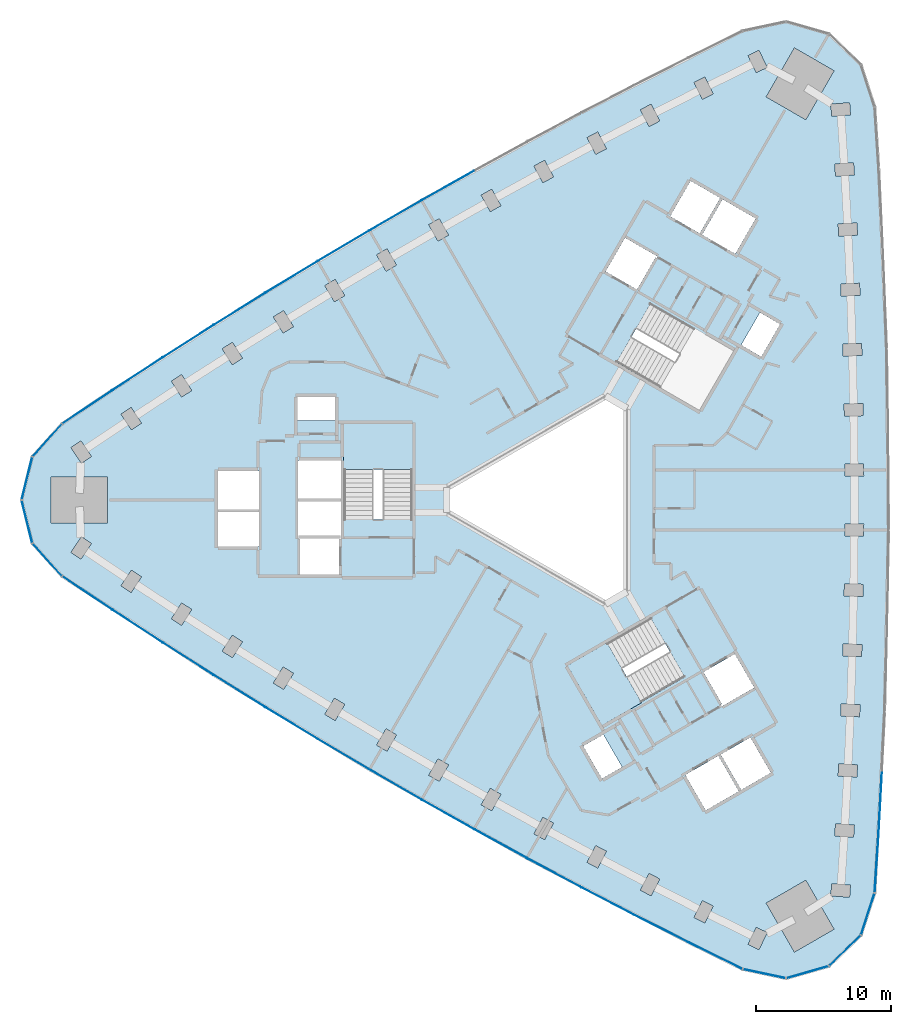
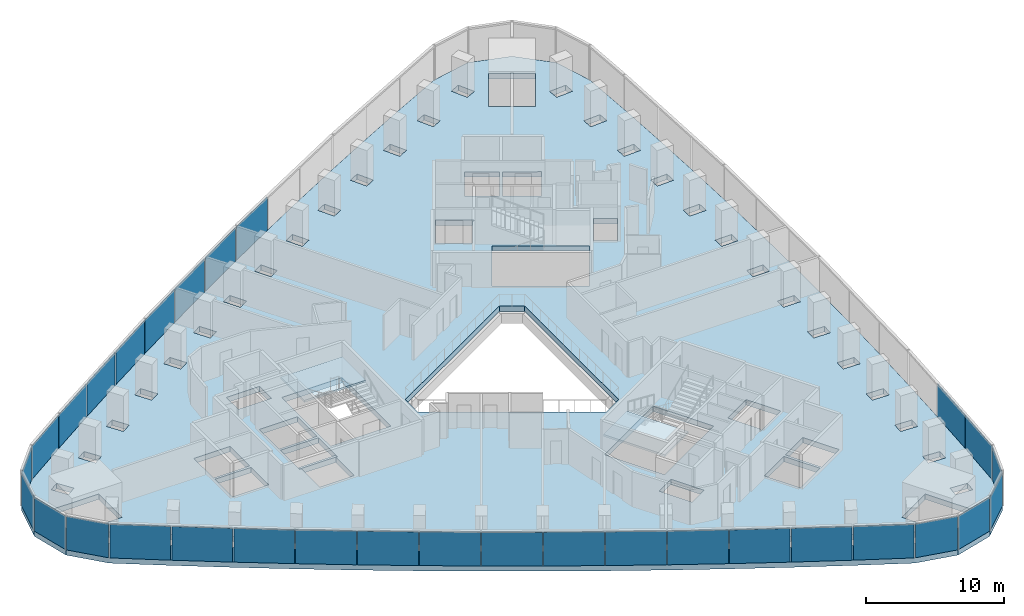
# One storey, part 7 of 13: 31 plates, 3 slabs, 5 elements without a shape of their own.
"""IFC4 building model written with IfcOpenShell, lengths in metres."""

from ifc_helpers import new_model, si_unit, direction, frame, origin, origin_2d, place, context, subcontext, project, spatial, polyline, rectangle, outline, extrude, material, layer, layer_set, type_object, element, aggregate, save


model = new_model("IFC4")

# Units and contexts
model_context = context("Model", 3, precision=1e-05, world=origin(), true_north=direction((0.0, 1.0)))
body_context = subcontext(model_context, "Body", "Model", "MODEL_VIEW")
ifc_project = project(units=[si_unit("LENGTHUNIT", "METRE"), si_unit("AREAUNIT", "SQUARE_METRE"), si_unit("VOLUMEUNIT", "CUBIC_METRE"), si_unit("PLANEANGLEUNIT", "RADIAN"), si_unit("MASSUNIT", "GRAM", prefix="KILO")], contexts=[model_context])

# Site, building, storey
site_placement = place(None, origin())
site = spatial("IfcSite", under=ifc_project, at=site_placement, CompositionType="ELEMENT")
building_placement = place(site_placement, origin())
building = spatial("IfcBuilding", under=site, at=building_placement, Name="Tamra Quay Hotel Tower", CompositionType="ELEMENT")
storey_placement = place(building_placement, frame((0.0, 0.0, 49.39990234375)))
storey = spatial("IfcBuildingStorey", under=building, at=storey_placement, Name="L10", CompositionType="ELEMENT", Elevation=49.39990234375)

# Stair, slab
ifc_material_1 = material(Name="Exit stair 2200 24 risers 150.0 going 342")
stair_type = type_object("IfcStairType", Name="Exit stair 2200 24 risers 150.0 going 342", PredefinedType="HALF_TURN_STAIR", material=ifc_material_1)
stair_1_placement = place(storey_placement, origin())
stair_1 = element("IfcStair", 1, at=stair_1_placement, inside=storey, type_object=stair_type, Name="L10 Exit stair ST3", PredefinedType="HALF_TURN_STAIR")
ifc_material_2 = material(Name="Concrete M70", Category="concrete")
ifc_layer_1 = layer(ifc_material_2, 0.175048828125)
ifc_layer_set_1 = layer_set([ifc_layer_1], Name="Concrete M70 stair landing 180")
slab_type_1 = type_object("IfcSlabType", Name="Concrete M70 stair landing 180", PredefinedType="LANDING", material=ifc_layer_set_1)
slab_1_placement = place(storey_placement, frame((0.0, 0.0, 1.625)))
slab_1 = element("IfcSlab", 2, at=slab_1_placement, type_object=slab_type_1, Name="ST3 landing 1", PredefinedType="LANDING", context=body_context, shape_type="SweptSolid", body=[
    extrude(outline(polyline([(-10.932373046875, 2.261962890625), (-10.932373046875, 5.679931640625), (-16.09130859375, 5.679931640625), (-16.09130859375, 2.261962890625), (-10.932373046875, 2.261962890625)])), origin(), (0.0, 0.0, 1.0), 0.175048828125),
])
aggregate(stair_1, [slab_1])

stair_2_placement = place(storey_placement, origin())
stair_2 = element("IfcStair", 3, at=stair_2_placement, inside=storey, type_object=stair_type, Name="L10 Exit stair ST2", PredefinedType="HALF_TURN_STAIR")
slab_2_placement = place(storey_placement, frame((0.0, 0.0, 1.625)))
slab_2 = element("IfcSlab", 4, at=slab_2_placement, type_object=slab_type_1, Name="ST2 landing 1", PredefinedType="LANDING", context=body_context, shape_type="SweptSolid", body=[
    extrude(outline(polyline([(3.50732421875, -10.5986328125), (0.547119140625, -12.3076171875), (3.126708984375, -16.775390625), (6.086669921875, -15.06640625), (3.50732421875, -10.5986328125)])), origin(), (0.0, 0.0, 1.0), 0.175048828125),
])
aggregate(stair_2, [slab_2])

# Slab
ifc_material_3 = material(Name="Concrete M60", Category="concrete")
ifc_layer_2 = layer(ifc_material_3, 0.47509765625)
ifc_layer_set_2 = layer_set([ifc_layer_2], Name="FLOOR SLAB PT 475")
slab_type_2 = type_object("IfcSlabType", Name="FLOOR SLAB PT 475", PredefinedType="FLOOR", material=ifc_layer_set_2)
slab_3_placement = place(storey_placement, frame((0.0, 0.0, -0.474853515625)))
element("IfcSlab", 5, at=slab_3_placement, inside=storey, type_object=slab_type_2, Name="SLAB-L10", PredefinedType="FLOOR", context=body_context, shape_type="SweptSolid", body=[
    extrude(outline(polyline([(23.699951171875, 24.723876953125), (23.943115234375, 20.231689453125), (24.137939453125, 15.738525390625), (24.283935546875, 11.24365234375), (24.38134765625, 6.74560546875), (24.43017578125, 2.248779296875), (24.43017578125, -2.248779296875), (24.38134765625, -6.74560546875), (24.283935546875, -11.24365234375), (24.137939453125, -15.738525390625), (23.943115234375, -20.231689453125), (23.699951171875, -24.723876953125), (23.40869140625, -29.210693359375), (22.386474609375, -32.356201171875), (20.00732421875, -34.65380859375), (16.828125, -35.5654296875), (13.593017578125, -34.877685546875), (9.5615234375, -32.88671875), (5.54931640625, -30.851318359375), (1.56103515625, -28.773193359375), (-2.40478515625, -26.65234375), (-6.3486328125, -24.48779296875), (-10.267578125, -22.281494140625), (-14.162353515625, -20.03271484375), (-18.03271484375, -17.741943359375), (-21.879150390625, -15.40869140625), (-25.698974609375, -13.034912109375), (-29.49267578125, -10.61962890625), (-33.261474609375, -8.162841796875), (-37.001708984375, -5.6669921875), (-39.214599609375, -3.208984375), (-40.0146484375, 0.0), (-39.214599609375, 3.208984375), (-37.001708984375, 5.6669921875), (-33.261474609375, 8.162841796875), (-29.49267578125, 10.61962890625), (-25.698974609375, 13.034912109375), (-21.879150390625, 15.40869140625), (-18.03271484375, 17.741943359375), (-14.162353515625, 20.03271484375), (-10.267578125, 22.281494140625), (-6.3486328125, 24.48779296875), (-2.40478515625, 26.65234375), (1.56103515625, 28.773193359375), (5.54931640625, 30.851318359375), (9.5615234375, 32.88671875), (13.593017578125, 34.877685546875), (16.828125, 35.5654296875), (20.00732421875, 34.65380859375), (22.386474609375, 32.356201171875), (23.40869140625, 29.210693359375), (23.699951171875, 24.723876953125)]), holes=[polyline([(-17.475830078125, -15.935791015625), (-16.70361328125, -16.39794921875), (-15.984375, -15.19677734375), (-16.756591796875, -14.734619140625), (-17.475830078125, -15.935791015625)]), polyline([(-20.56884765625, -12.416015625), (-21.3017578125, -13.60888671875), (-20.534912109375, -14.080078125), (-19.802001953125, -12.88720703125), (-20.56884765625, -12.416015625)]), polyline([(-24.357177734375, -10.05615234375), (-25.102294921875, -11.2412109375), (-24.340576171875, -11.72021484375), (-23.59521484375, -10.53515625), (-24.357177734375, -10.05615234375)]), polyline([(-28.11962890625, -7.6552734375), (-28.87744140625, -8.83251953125), (-28.12060546875, -9.319580078125), (-27.36279296875, -8.142578125), (-28.11962890625, -7.6552734375)]), polyline([(-31.854736328125, -5.21435546875), (-32.6259765625, -6.3828125), (-31.874755859375, -6.878662109375), (-31.103515625, -5.710205078125), (-31.854736328125, -5.21435546875)]), polyline([(-16.3173828125, -2.85498046875), (-19.4072265625, -2.85498046875), (-19.4072265625, -2.89306640625), (-19.307373046875, -2.89306640625), (-19.307373046875, -5.544921875), (-16.417236328125, -5.544921875), (-16.417236328125, -2.89306640625), (-16.3173828125, -2.89306640625), (-16.3173828125, -2.85498046875)]), polyline([(-35.565185546875, -2.73291015625), (-36.347900390625, -3.8935546875), (-35.601806640625, -4.396728515625), (-34.819091796875, -3.236083984375), (-35.565185546875, -2.73291015625)]), polyline([(-22.3671875, -3.445068359375), (-22.3671875, -0.905029296875), (-25.4072265625, -0.905029296875), (-25.4072265625, -3.445068359375), (-22.3671875, -3.445068359375)]), polyline([(-19.417236328125, -2.89306640625), (-19.417236328125, -2.64501953125), (-16.307373046875, -2.64501953125), (-16.307373046875, -2.89306640625), (-16.26708984375, -2.89306640625), (-16.26708984375, -0.10498046875), (-19.45751953125, -0.10498046875), (-19.45751953125, -2.89306640625), (-19.417236328125, -2.89306640625)]), polyline([(-33.62890625, 1.699951171875), (-37.828857421875, 1.699951171875), (-37.828857421875, -1.699951171875), (-33.62890625, -1.699951171875), (-33.62890625, 1.699951171875)]), polyline([(-25.4072265625, -0.695068359375), (-22.3671875, -0.695068359375), (-22.3671875, 2.14501953125), (-25.4072265625, 2.14501953125), (-25.4072265625, -0.695068359375)]), polyline([(-19.45751953125, 0.10498046875), (-16.26708984375, 0.10498046875), (-16.26708984375, 2.945068359375), (-19.45751953125, 2.945068359375), (-19.45751953125, 0.10498046875)]), polyline([(-16.036376953125, -1.455078125), (-10.9873046875, -1.455078125), (-10.9873046875, 5.625), (-16.036376953125, 5.625), (-16.036376953125, -1.455078125)]), polyline([(-34.819091796875, 3.236083984375), (-35.601806640625, 4.396728515625), (-36.347900390625, 3.8935546875), (-35.565185546875, 2.73291015625), (-34.819091796875, 3.236083984375)]), polyline([(-31.103515625, 5.710205078125), (-31.874755859375, 6.878662109375), (-32.6259765625, 6.3828125), (-31.854736328125, 5.21435546875), (-31.103515625, 5.710205078125)]), polyline([(-16.71728515625, 7.64501953125), (-19.50732421875, 7.64501953125), (-19.50732421875, 5.9150390625), (-16.71728515625, 5.9150390625), (-16.71728515625, 7.64501953125)]), polyline([(-27.36279296875, 8.142578125), (-28.12060546875, 9.319580078125), (-28.87744140625, 8.83251953125), (-28.11962890625, 7.6552734375), (-27.36279296875, 8.142578125)]), polyline([(-23.59521484375, 10.53515625), (-24.340576171875, 11.72021484375), (-25.102294921875, 11.2412109375), (-24.357177734375, 10.05615234375), (-23.59521484375, 10.53515625)]), polyline([(-19.802001953125, 12.88720703125), (-20.534912109375, 14.080078125), (-21.3017578125, 13.60888671875), (-20.56884765625, 12.416015625), (-19.802001953125, 12.88720703125)]), polyline([(-15.984375, 15.19677734375), (-16.70361328125, 16.39794921875), (-17.475830078125, 15.935791015625), (-16.756591796875, 14.734619140625), (-15.984375, 15.19677734375)]), polyline([(-12.141357421875, 17.466064453125), (-12.84765625, 18.6748046875), (-13.624755859375, 18.220703125), (-12.918212890625, 17.011962890625), (-12.141357421875, 17.466064453125)]), polyline([(10.606689453125, -29.79150390625), (9.980224609375, -31.04345703125), (10.78515625, -31.4462890625), (11.41162109375, -30.194091796875), (10.606689453125, -29.79150390625)]), polyline([(6.6298828125, -27.76806640625), (5.9892578125, -29.012939453125), (6.78955078125, -29.4248046875), (7.43017578125, -28.179931640625), (6.6298828125, -27.76806640625)]), polyline([(2.673828125, -25.70166015625), (2.02001953125, -26.939697265625), (2.81591796875, -27.35986328125), (3.4697265625, -26.121826171875), (2.673828125, -25.70166015625)]), polyline([(-1.259521484375, -23.5927734375), (-1.92626953125, -24.82373046875), (-1.134765625, -25.252197265625), (-0.46826171875, -24.021240234375), (-1.259521484375, -23.5927734375)]), polyline([(-5.168701171875, -21.44140625), (-5.849365234375, -22.664794921875), (-5.06298828125, -23.102294921875), (-4.382080078125, -21.87890625), (-5.168701171875, -21.44140625)]), polyline([(13.3056640625, -21.65576171875), (11.78564453125, -19.02294921875), (9.325927734375, -20.443115234375), (10.845947265625, -23.075927734375), (13.3056640625, -21.65576171875)]), polyline([(-9.055419921875, -19.247802734375), (-9.7490234375, -20.4638671875), (-8.96728515625, -20.90966796875), (-8.273681640625, -19.693603515625), (-9.055419921875, -19.247802734375)]), polyline([(1.73779296875, -18.300048828125), (3.1328125, -20.71630859375), (4.631103515625, -19.851318359375), (3.236083984375, -17.43505859375), (1.73779296875, -18.300048828125)]), polyline([(-12.918212890625, -17.011962890625), (-13.624755859375, -18.220703125), (-12.84765625, -18.6748046875), (-12.141357421875, -17.466064453125), (-12.918212890625, -17.011962890625)]), polyline([(10.68115234375, -12.790283203125), (12.05615234375, -15.171875), (11.969482421875, -15.2216796875), (12.03955078125, -15.343017578125), (14.455810546875, -13.947998046875), (13.0107421875, -11.4453125), (10.68115234375, -12.790283203125)]), polyline([(9.2783203125, -13.160400390625), (6.75390625, -8.78759765625), (0.622314453125, -12.32763671875), (3.146728515625, -16.7001953125), (9.2783203125, -13.160400390625)]), polyline([(3.39990234375, 7.736572265625), (-8.39990234375, 0.923828125), (-8.39990234375, -0.923828125), (3.39990234375, -7.736572265625), (5.0, -6.812744140625), (5.0, 6.812744140625), (3.39990234375, 7.736572265625)]), polyline([(6.758056640625, 14.615478515625), (4.2333984375, 10.242919921875), (10.364990234375, 6.702880859375), (12.889404296875, 11.075439453125), (6.758056640625, 14.615478515625)]), polyline([(5.736083984375, 15.645263671875), (7.111083984375, 18.02685546875), (7.19775390625, 17.976806640625), (7.267578125, 18.09814453125), (4.8515625, 19.4931640625), (3.406494140625, 16.990234375), (5.736083984375, 15.645263671875)]), polyline([(-8.273681640625, 19.693603515625), (-8.96728515625, 20.90966796875), (-9.7490234375, 20.4638671875), (-9.055419921875, 19.247802734375), (-8.273681640625, 19.693603515625)]), polyline([(8.2001953125, 21.093017578125), (10.39990234375, 19.822998046875), (11.919921875, 22.455810546875), (9.72021484375, 23.725830078125), (8.2001953125, 21.093017578125)]), polyline([(-4.382080078125, 21.87890625), (-5.06298828125, 23.102294921875), (-5.849365234375, 22.664794921875), (-5.168701171875, 21.44140625), (-4.382080078125, 21.87890625)]), polyline([(-0.46826171875, 24.021240234375), (-1.134765625, 25.252197265625), (-1.92626953125, 24.82373046875), (-1.259521484375, 23.5927734375), (-0.46826171875, 24.021240234375)]), polyline([(3.4697265625, 26.121826171875), (2.81591796875, 27.35986328125), (2.02001953125, 26.939697265625), (2.673828125, 25.70166015625), (3.4697265625, 26.121826171875)]), polyline([(7.43017578125, 28.179931640625), (6.78955078125, 29.4248046875), (5.9892578125, 29.012939453125), (6.6298828125, 27.76806640625), (7.43017578125, 28.179931640625)]), polyline([(11.41162109375, 30.194091796875), (10.78515625, 31.4462890625), (9.980224609375, 31.04345703125), (10.606689453125, 29.79150390625), (11.41162109375, 30.194091796875)]), polyline([(14.60693359375, -31.772216796875), (13.993408203125, -33.030517578125), (14.80224609375, -33.425048828125), (15.416015625, -32.166748046875), (14.60693359375, -31.772216796875)]), polyline([(15.34228515625, -29.973388671875), (17.442138671875, -33.61083984375), (20.38671875, -31.910888671875), (18.28662109375, -28.2734375), (15.34228515625, -29.973388671875)]), polyline([(20.1494140625, -29.43408203125), (21.5458984375, -29.53173828125), (21.608642578125, -28.6337890625), (20.212158203125, -28.5361328125), (20.1494140625, -29.43408203125)]), polyline([(20.443115234375, -24.979736328125), (21.840576171875, -25.0634765625), (21.894287109375, -24.1650390625), (20.496826171875, -24.081298828125), (20.443115234375, -24.979736328125)]), polyline([(20.689453125, -20.524658203125), (22.087890625, -20.59228515625), (22.13134765625, -19.693359375), (20.73291015625, -19.625732421875), (20.689453125, -20.524658203125)]), polyline([(14.1669921875, -17.648193359375), (11.96728515625, -18.91796875), (13.487548828125, -21.55078125), (15.68701171875, -20.281005859375), (14.1669921875, -17.648193359375)]), polyline([(20.887451171875, -16.06591796875), (22.286376953125, -16.11865234375), (22.3203125, -15.219482421875), (20.92138671875, -15.16650390625), (20.887451171875, -16.06591796875)]), polyline([(21.037109375, -11.60498046875), (22.4365234375, -11.643310546875), (22.461181640625, -10.74365234375), (21.0615234375, -10.70556640625), (21.037109375, -11.60498046875)]), polyline([(21.138916015625, -7.144287109375), (22.538818359375, -7.16650390625), (22.552978515625, -6.2666015625), (21.153076171875, -6.244384765625), (21.138916015625, -7.144287109375)]), polyline([(21.19189453125, -2.681640625), (22.591796875, -2.68896484375), (22.5966796875, -1.7890625), (21.19677734375, -1.781494140625), (21.19189453125, -2.681640625)]), polyline([(21.19677734375, 1.781494140625), (22.5966796875, 1.7890625), (22.591796875, 2.68896484375), (21.19189453125, 2.681640625), (21.19677734375, 1.781494140625)]), polyline([(21.153076171875, 6.244384765625), (22.552978515625, 6.2666015625), (22.538818359375, 7.16650390625), (21.138916015625, 7.144287109375), (21.153076171875, 6.244384765625)]), polyline([(21.0615234375, 10.70556640625), (22.461181640625, 10.74365234375), (22.4365234375, 11.643310546875), (21.037109375, 11.60498046875), (21.0615234375, 10.70556640625)]), polyline([(14.9794921875, 10.655029296875), (16.37451171875, 13.0712890625), (14.876220703125, 13.936279296875), (13.481201171875, 11.52001953125), (14.9794921875, 10.655029296875)]), polyline([(20.92138671875, 15.16650390625), (22.3203125, 15.219482421875), (22.286376953125, 16.11865234375), (20.887451171875, 16.06591796875), (20.92138671875, 15.16650390625)]), polyline([(20.73291015625, 19.625732421875), (22.13134765625, 19.693359375), (22.087890625, 20.59228515625), (20.689453125, 20.524658203125), (20.73291015625, 19.625732421875)]), polyline([(12.101806640625, 22.350830078125), (10.58154296875, 19.718017578125), (13.041259765625, 18.298095703125), (14.561279296875, 20.930908203125), (12.101806640625, 22.350830078125)]), polyline([(20.496826171875, 24.081298828125), (21.894287109375, 24.1650390625), (21.840576171875, 25.0634765625), (20.443115234375, 24.979736328125), (20.496826171875, 24.081298828125)]), polyline([(20.212158203125, 28.5361328125), (21.608642578125, 28.6337890625), (21.5458984375, 29.53173828125), (20.1494140625, 29.43408203125), (20.212158203125, 28.5361328125)]), polyline([(18.28662109375, 28.2734375), (20.38671875, 31.910888671875), (17.442138671875, 33.61083984375), (15.34228515625, 29.973388671875), (18.28662109375, 28.2734375)]), polyline([(15.416015625, 32.166748046875), (14.80224609375, 33.425048828125), (13.993408203125, 33.030517578125), (14.60693359375, 31.772216796875), (15.416015625, 32.166748046875)])]), origin(), (0.0, 0.0, 1.0), 0.474853515625),
])

# Curtain wall, plates
ifc_material_4 = material(Name="Aluminium 6063 anodised dark grey", Category="aluminium")
curtain_wall_type_1 = type_object("IfcCurtainWallType", Name="CW1 CURTAIN WALL", PredefinedType="NOTDEFINED", material=ifc_material_4)
curtain_wall_1_placement = place(storey_placement, origin())
curtain_wall_1 = element("IfcCurtainWall", 6, at=curtain_wall_1_placement, inside=storey, type_object=curtain_wall_type_1, Name="CW1 east face L10", PredefinedType="NOTDEFINED")
ifc_material_5 = material(Name="Glass clear laminated low-iron", Category="glass")
ifc_layer_3 = layer(ifc_material_5, 0.035888671875)
ifc_layer_set_3 = layer_set([ifc_layer_3], Name="GLASS PANEL CW1 Z1")
plate_type_1 = type_object("IfcPlateType", Name="GLASS PANEL CW1 Z1", PredefinedType="CURTAIN_PANEL", material=ifc_layer_set_3)
plate_1_placement = place(storey_placement, frame((23.55419921875, -26.96728515625, 0.0), z_axis=(0.0, 0.0, 1.0), x_axis=(0.064813097616, 0.997897420769, 0.0)))
plate_1 = element("IfcPlate", 7, at=plate_1_placement, type_object=plate_type_1, Name="CW1 glass L10.E.1", PredefinedType="CURTAIN_PANEL", context=body_context, shape_type="SweptSolid", body=[
    extrude(rectangle(XDim=4.396484375, YDim=0.035888671875, at=origin_2d()), origin(), (0.0, 0.0, 1.0), 2.985107421875),
])
plate_2_placement = place(storey_placement, frame((23.821533203125, -22.477783203125, 0.0), z_axis=(0.0, 0.0, 1.0), x_axis=(0.054062119595, 0.998537574268, 0.0)))
plate_2 = element("IfcPlate", 8, at=plate_2_placement, type_object=plate_type_1, Name="CW1 glass L10.E.2", PredefinedType="CURTAIN_PANEL", context=body_context, shape_type="SweptSolid", body=[
    extrude(rectangle(XDim=4.39892578125, YDim=0.035888671875, at=origin_2d()), origin(), (0.0, 0.0, 1.0), 2.985107421875),
])
aggregate(curtain_wall_1, [plate_1, plate_2])

curtain_wall_type_2 = type_object("IfcCurtainWallType", Name="CW2 CURTAIN WALL", PredefinedType="NOTDEFINED", material=ifc_material_4)
curtain_wall_2_placement = place(storey_placement, origin())
curtain_wall_2 = element("IfcCurtainWall", 9, at=curtain_wall_2_placement, inside=storey, type_object=curtain_wall_type_2, Name="CW2 north-west face L10", PredefinedType="NOTDEFINED")
ifc_layer_4 = layer(ifc_material_5, 0.035888671875)
ifc_layer_set_4 = layer_set([ifc_layer_4], Name="GLASS PANEL CW2 Z1")
plate_type_2 = type_object("IfcPlateType", Name="GLASS PANEL CW2 Z1", PredefinedType="CURTAIN_PANEL", material=ifc_layer_set_4)
plate_3_placement = place(storey_placement, frame((-8.30810546875, 23.384521484375, 0.0), z_axis=(0.0, 0.0, 1.0), x_axis=(-0.871392472945, -0.490586544959, 0.0)))
plate_3 = element("IfcPlate", 10, at=plate_3_placement, type_object=plate_type_2, Name="CW2 glass L10.NW.6", PredefinedType="CURTAIN_PANEL", context=body_context, shape_type="SweptSolid", body=[
    extrude(rectangle(XDim=4.397216796875, YDim=0.035888671875, at=origin_2d()), origin(), (0.0, 0.0, 1.0), 2.985107421875),
])
plate_4_placement = place(storey_placement, frame((-12.215087890625, 21.156982421875, 0.0), z_axis=(0.0, 0.0, 1.0), x_axis=(-0.866025403784, -0.5, 0.0)))
plate_4 = element("IfcPlate", 11, at=plate_4_placement, type_object=plate_type_2, Name="CW2 glass L10.NW.7", PredefinedType="CURTAIN_PANEL", context=body_context, shape_type="SweptSolid", body=[
    extrude(rectangle(XDim=4.397216796875, YDim=0.035888671875, at=origin_2d()), origin(), (0.0, 0.0, 1.0), 2.985107421875),
])
plate_5_placement = place(storey_placement, frame((-16.09765625, 18.887451171875, 0.0), z_axis=(0.0, 0.0, 1.0), x_axis=(-0.860556647162, -0.509354745757, 0.0)))
plate_5 = element("IfcPlate", 12, at=plate_5_placement, type_object=plate_type_2, Name="CW2 glass L10.NW.8", PredefinedType="CURTAIN_PANEL", context=body_context, shape_type="SweptSolid", body=[
    extrude(rectangle(XDim=4.397216796875, YDim=0.035888671875, at=origin_2d()), origin(), (0.0, 0.0, 1.0), 2.985107421875),
])
plate_6_placement = place(storey_placement, frame((-19.955810546875, 16.575439453125, 0.0), z_axis=(0.0, 0.0, 1.0), x_axis=(-0.85499355735, -0.51863861878, 0.0)))
plate_6 = element("IfcPlate", 13, at=plate_6_placement, type_object=plate_type_2, Name="CW2 glass L10.NW.9", PredefinedType="CURTAIN_PANEL", context=body_context, shape_type="SweptSolid", body=[
    extrude(rectangle(XDim=4.39892578125, YDim=0.035888671875, at=origin_2d()), origin(), (0.0, 0.0, 1.0), 2.985107421875),
])
plate_7_placement = place(storey_placement, frame((-23.7890625, 14.2216796875, 0.0), z_axis=(0.0, 0.0, 1.0), x_axis=(-0.849331223164, -0.527860278254, 0.0)))
plate_7 = element("IfcPlate", 14, at=plate_7_placement, type_object=plate_type_2, Name="CW2 glass L10.NW.10", PredefinedType="CURTAIN_PANEL", context=body_context, shape_type="SweptSolid", body=[
    extrude(rectangle(XDim=4.397216796875, YDim=0.035888671875, at=origin_2d()), origin(), (0.0, 0.0, 1.0), 2.985107421875),
])
plate_8_placement = place(storey_placement, frame((-27.595703125, 11.8271484375, 0.0), z_axis=(0.0, 0.0, 1.0), x_axis=(-0.84357098627, -0.537017682319, 0.0)))
plate_8 = element("IfcPlate", 15, at=plate_8_placement, type_object=plate_type_2, Name="CW2 glass L10.NW.11", PredefinedType="CURTAIN_PANEL", context=body_context, shape_type="SweptSolid", body=[
    extrude(rectangle(XDim=4.397216796875, YDim=0.035888671875, at=origin_2d()), origin(), (0.0, 0.0, 1.0), 2.985107421875),
])
plate_9_placement = place(storey_placement, frame((-31.376953125, 9.391357421875, 0.0), z_axis=(0.0, 0.0, 1.0), x_axis=(-0.837727846152, -0.546087956086, 0.0)))
plate_9 = element("IfcPlate", 16, at=plate_9_placement, type_object=plate_type_2, Name="CW2 glass L10.NW.12", PredefinedType="CURTAIN_PANEL", context=body_context, shape_type="SweptSolid", body=[
    extrude(rectangle(XDim=4.39892578125, YDim=0.035888671875, at=origin_2d()), origin(), (0.0, 0.0, 1.0), 2.985107421875),
])
plate_10_placement = place(storey_placement, frame((-35.131591796875, 6.9150390625, 0.0), z_axis=(0.0, 0.0, 1.0), x_axis=(-0.831797967949, -0.555078499418, 0.0)))
plate_10 = element("IfcPlate", 17, at=plate_10_placement, type_object=plate_type_2, Name="CW2 glass L10.NW.13", PredefinedType="CURTAIN_PANEL", context=body_context, shape_type="SweptSolid", body=[
    extrude(rectangle(XDim=4.396484375, YDim=0.035888671875, at=origin_2d()), origin(), (0.0, 0.0, 1.0), 2.985107421875),
])
plate_11_placement = place(storey_placement, frame((-38.108154296875, 4.43798828125, 0.0), z_axis=(0.0, 0.0, 1.0), x_axis=(-0.669112198553, -0.743161399527, 0.0)))
plate_11 = element("IfcPlate", 18, at=plate_11_placement, type_object=plate_type_2, Name="CW2 glass L10.NW.14", PredefinedType="CURTAIN_PANEL", context=body_context, shape_type="SweptSolid", body=[
    extrude(rectangle(XDim=3.207275390625, YDim=0.035888671875, at=origin_2d()), origin(), (0.0, 0.0, 1.0), 2.985107421875),
])
plate_12_placement = place(storey_placement, frame((-39.61474609375, 1.6044921875, 0.0), z_axis=(0.0, 0.0, 1.0), x_axis=(-0.241913884219, -0.970297723702, 0.0)))
plate_12 = element("IfcPlate", 19, at=plate_12_placement, type_object=plate_type_2, Name="CW2 glass L10.NW.15", PredefinedType="CURTAIN_PANEL", context=body_context, shape_type="SweptSolid", body=[
    extrude(rectangle(XDim=3.207275390625, YDim=0.035888671875, at=origin_2d()), origin(), (0.0, 0.0, 1.0), 2.985107421875),
])
plate_13_placement = place(storey_placement, frame((-39.61474609375, -1.6044921875, 0.0), z_axis=(0.0, 0.0, 1.0), x_axis=(0.24191388422, -0.970297723702, 0.0)))
plate_13 = element("IfcPlate", 20, at=plate_13_placement, type_object=plate_type_2, Name="CW2 glass L10.NW.16", PredefinedType="CURTAIN_PANEL", context=body_context, shape_type="SweptSolid", body=[
    extrude(rectangle(XDim=3.207275390625, YDim=0.035888671875, at=origin_2d()), origin(), (0.0, 0.0, 1.0), 2.985107421875),
])
plate_14_placement = place(storey_placement, frame((-38.108154296875, -4.43798828125, 0.0), z_axis=(0.0, 0.0, 1.0), x_axis=(0.669112198553, -0.743161399527, 0.0)))
plate_14 = element("IfcPlate", 21, at=plate_14_placement, type_object=plate_type_2, Name="CW2 glass L10.NW.17", PredefinedType="CURTAIN_PANEL", context=body_context, shape_type="SweptSolid", body=[
    extrude(rectangle(XDim=3.207275390625, YDim=0.035888671875, at=origin_2d()), origin(), (0.0, 0.0, 1.0), 2.985107421875),
])
aggregate(curtain_wall_2, [plate_3, plate_4, plate_5, plate_6, plate_7, plate_8, plate_9, plate_10, plate_11, plate_12, plate_13, plate_14])

curtain_wall_type_3 = type_object("IfcCurtainWallType", Name="CW3 CURTAIN WALL", PredefinedType="NOTDEFINED", material=ifc_material_4)
curtain_wall_3_placement = place(storey_placement, origin())
curtain_wall_3 = element("IfcCurtainWall", 22, at=curtain_wall_3_placement, inside=storey, type_object=curtain_wall_type_3, Name="CW3 south-west face L10", PredefinedType="NOTDEFINED")
ifc_layer_5 = layer(ifc_material_5, 0.035888671875)
ifc_layer_set_5 = layer_set([ifc_layer_5], Name="GLASS PANEL CW3 Z1")
plate_type_3 = type_object("IfcPlateType", Name="GLASS PANEL CW3 Z1", PredefinedType="CURTAIN_PANEL", material=ifc_layer_set_5)
plate_15_placement = place(storey_placement, frame((-35.131591796875, -6.9150390625, 0.0), z_axis=(0.0, 0.0, 1.0), x_axis=(0.831797967949, -0.555078499418, 0.0)))
plate_15 = element("IfcPlate", 23, at=plate_15_placement, type_object=plate_type_3, Name="CW3 glass L10.SW.1", PredefinedType="CURTAIN_PANEL", context=body_context, shape_type="SweptSolid", body=[
    extrude(rectangle(XDim=4.396484375, YDim=0.035888671875, at=origin_2d()), origin(), (0.0, 0.0, 1.0), 2.985107421875),
])
plate_16_placement = place(storey_placement, frame((-31.376953125, -9.391357421875, 0.0), z_axis=(0.0, 0.0, 1.0), x_axis=(0.837727846152, -0.546087956086, 0.0)))
plate_16 = element("IfcPlate", 24, at=plate_16_placement, type_object=plate_type_3, Name="CW3 glass L10.SW.2", PredefinedType="CURTAIN_PANEL", context=body_context, shape_type="SweptSolid", body=[
    extrude(rectangle(XDim=4.39892578125, YDim=0.035888671875, at=origin_2d()), origin(), (0.0, 0.0, 1.0), 2.985107421875),
])
plate_17_placement = place(storey_placement, frame((-27.595703125, -11.8271484375, 0.0), z_axis=(0.0, 0.0, 1.0), x_axis=(0.84357098627, -0.537017682319, 0.0)))
plate_17 = element("IfcPlate", 25, at=plate_17_placement, type_object=plate_type_3, Name="CW3 glass L10.SW.3", PredefinedType="CURTAIN_PANEL", context=body_context, shape_type="SweptSolid", body=[
    extrude(rectangle(XDim=4.397216796875, YDim=0.035888671875, at=origin_2d()), origin(), (0.0, 0.0, 1.0), 2.985107421875),
])
plate_18_placement = place(storey_placement, frame((-23.7890625, -14.2216796875, 0.0), z_axis=(0.0, 0.0, 1.0), x_axis=(0.849331223164, -0.527860278254, 0.0)))
plate_18 = element("IfcPlate", 26, at=plate_18_placement, type_object=plate_type_3, Name="CW3 glass L10.SW.4", PredefinedType="CURTAIN_PANEL", context=body_context, shape_type="SweptSolid", body=[
    extrude(rectangle(XDim=4.397216796875, YDim=0.035888671875, at=origin_2d()), origin(), (0.0, 0.0, 1.0), 2.985107421875),
])
plate_19_placement = place(storey_placement, frame((-19.955810546875, -16.575439453125, 0.0), z_axis=(0.0, 0.0, 1.0), x_axis=(0.85499355735, -0.51863861878, 0.0)))
plate_19 = element("IfcPlate", 27, at=plate_19_placement, type_object=plate_type_3, Name="CW3 glass L10.SW.5", PredefinedType="CURTAIN_PANEL", context=body_context, shape_type="SweptSolid", body=[
    extrude(rectangle(XDim=4.39892578125, YDim=0.035888671875, at=origin_2d()), origin(), (0.0, 0.0, 1.0), 2.985107421875),
])
plate_20_placement = place(storey_placement, frame((-16.09765625, -18.887451171875, 0.0), z_axis=(0.0, 0.0, 1.0), x_axis=(0.860556647162, -0.509354745757, 0.0)))
plate_20 = element("IfcPlate", 28, at=plate_20_placement, type_object=plate_type_3, Name="CW3 glass L10.SW.6", PredefinedType="CURTAIN_PANEL", context=body_context, shape_type="SweptSolid", body=[
    extrude(rectangle(XDim=4.397216796875, YDim=0.035888671875, at=origin_2d()), origin(), (0.0, 0.0, 1.0), 2.985107421875),
])
plate_21_placement = place(storey_placement, frame((-12.215087890625, -21.156982421875, 0.0), z_axis=(0.0, 0.0, 1.0), x_axis=(0.866025403784, -0.5, 0.0)))
plate_21 = element("IfcPlate", 29, at=plate_21_placement, type_object=plate_type_3, Name="CW3 glass L10.SW.7", PredefinedType="CURTAIN_PANEL", context=body_context, shape_type="SweptSolid", body=[
    extrude(rectangle(XDim=4.397216796875, YDim=0.035888671875, at=origin_2d()), origin(), (0.0, 0.0, 1.0), 2.985107421875),
])
plate_22_placement = place(storey_placement, frame((-8.30810546875, -23.384521484375, 0.0), z_axis=(0.0, 0.0, 1.0), x_axis=(0.871392472945, -0.490586544959, 0.0)))
plate_22 = element("IfcPlate", 30, at=plate_22_placement, type_object=plate_type_3, Name="CW3 glass L10.SW.8", PredefinedType="CURTAIN_PANEL", context=body_context, shape_type="SweptSolid", body=[
    extrude(rectangle(XDim=4.397216796875, YDim=0.035888671875, at=origin_2d()), origin(), (0.0, 0.0, 1.0), 2.985107421875),
])
plate_23_placement = place(storey_placement, frame((-4.376708984375, -25.570068359375, 0.0), z_axis=(0.0, 0.0, 1.0), x_axis=(0.876650997922, -0.481126831347, 0.0)))
plate_23 = element("IfcPlate", 31, at=plate_23_placement, type_object=plate_type_3, Name="CW3 glass L10.SW.9", PredefinedType="CURTAIN_PANEL", context=body_context, shape_type="SweptSolid", body=[
    extrude(rectangle(XDim=4.39892578125, YDim=0.035888671875, at=origin_2d()), origin(), (0.0, 0.0, 1.0), 2.985107421875),
])
plate_24_placement = place(storey_placement, frame((-0.421875, -27.712890625, 0.0), z_axis=(0.0, 0.0, 1.0), x_axis=(0.881806022199, -0.47161227636, 0.0)))
plate_24 = element("IfcPlate", 32, at=plate_24_placement, type_object=plate_type_3, Name="CW3 glass L10.SW.10", PredefinedType="CURTAIN_PANEL", context=body_context, shape_type="SweptSolid", body=[
    extrude(rectangle(XDim=4.397216796875, YDim=0.035888671875, at=origin_2d()), origin(), (0.0, 0.0, 1.0), 2.985107421875),
])
plate_25_placement = place(storey_placement, frame((3.55517578125, -29.812255859375, 0.0), z_axis=(0.0, 0.0, 1.0), x_axis=(0.886856448305, -0.462045062846, 0.0)))
plate_25 = element("IfcPlate", 33, at=plate_25_placement, type_object=plate_type_3, Name="CW3 glass L10.SW.11", PredefinedType="CURTAIN_PANEL", context=body_context, shape_type="SweptSolid", body=[
    extrude(rectangle(XDim=4.397216796875, YDim=0.035888671875, at=origin_2d()), origin(), (0.0, 0.0, 1.0), 2.985107421875),
])
plate_26_placement = place(storey_placement, frame((7.555419921875, -31.868896484375, 0.0), z_axis=(0.0, 0.0, 1.0), x_axis=(0.891789965747, -0.452449618182, 0.0)))
plate_26 = element("IfcPlate", 34, at=plate_26_placement, type_object=plate_type_3, Name="CW3 glass L10.SW.12", PredefinedType="CURTAIN_PANEL", context=body_context, shape_type="SweptSolid", body=[
    extrude(rectangle(XDim=4.39892578125, YDim=0.035888671875, at=origin_2d()), origin(), (0.0, 0.0, 1.0), 2.985107421875),
])
plate_27_placement = place(storey_placement, frame((11.5771484375, -33.88232421875, 0.0), z_axis=(0.0, 0.0, 1.0), x_axis=(0.896611065565, -0.442818921351, 0.0)))
plate_27 = element("IfcPlate", 35, at=plate_27_placement, type_object=plate_type_3, Name="CW3 glass L10.SW.13", PredefinedType="CURTAIN_PANEL", context=body_context, shape_type="SweptSolid", body=[
    extrude(rectangle(XDim=4.396484375, YDim=0.035888671875, at=origin_2d()), origin(), (0.0, 0.0, 1.0), 2.985107421875),
])
plate_28_placement = place(storey_placement, frame((15.210693359375, -35.2216796875, 0.0), z_axis=(0.0, 0.0, 1.0), x_axis=(0.978152750379, -0.207887462165, 0.0)))
plate_28 = element("IfcPlate", 36, at=plate_28_placement, type_object=plate_type_3, Name="CW3 glass L10.SW.14", PredefinedType="CURTAIN_PANEL", context=body_context, shape_type="SweptSolid", body=[
    extrude(rectangle(XDim=3.207275390625, YDim=0.035888671875, at=origin_2d()), origin(), (0.0, 0.0, 1.0), 2.985107421875),
])
plate_29_placement = place(storey_placement, frame((18.417724609375, -35.109619140625, 0.0), z_axis=(0.0, 0.0, 1.0), x_axis=(0.96125942007, 0.275645292589, 0.0)))
plate_29 = element("IfcPlate", 37, at=plate_29_placement, type_object=plate_type_3, Name="CW3 glass L10.SW.15", PredefinedType="CURTAIN_PANEL", context=body_context, shape_type="SweptSolid", body=[
    extrude(rectangle(XDim=3.207275390625, YDim=0.035888671875, at=origin_2d()), origin(), (0.0, 0.0, 1.0), 2.985107421875),
])
plate_30_placement = place(storey_placement, frame((21.197021484375, -33.5048828125, 0.0), z_axis=(0.0, 0.0, 1.0), x_axis=(0.719345535851, 0.694652431113, 0.0)))
plate_30 = element("IfcPlate", 38, at=plate_30_placement, type_object=plate_type_3, Name="CW3 glass L10.SW.16", PredefinedType="CURTAIN_PANEL", context=body_context, shape_type="SweptSolid", body=[
    extrude(rectangle(XDim=3.207275390625, YDim=0.035888671875, at=origin_2d()), origin(), (0.0, 0.0, 1.0), 2.985107421875),
])
plate_31_placement = place(storey_placement, frame((22.8974609375, -30.783447265625, 0.0), z_axis=(0.0, 0.0, 1.0), x_axis=(0.309040551826, 0.951048861693, 0.0)))
plate_31 = element("IfcPlate", 39, at=plate_31_placement, type_object=plate_type_3, Name="CW3 glass L10.SW.17", PredefinedType="CURTAIN_PANEL", context=body_context, shape_type="SweptSolid", body=[
    extrude(rectangle(XDim=3.207275390625, YDim=0.035888671875, at=origin_2d()), origin(), (0.0, 0.0, 1.0), 2.985107421875),
])
aggregate(curtain_wall_3, [plate_15, plate_16, plate_17, plate_18, plate_19, plate_20, plate_21, plate_22, plate_23, plate_24, plate_25, plate_26, plate_27, plate_28, plate_29, plate_30, plate_31])

save(model, "model.ifc")
